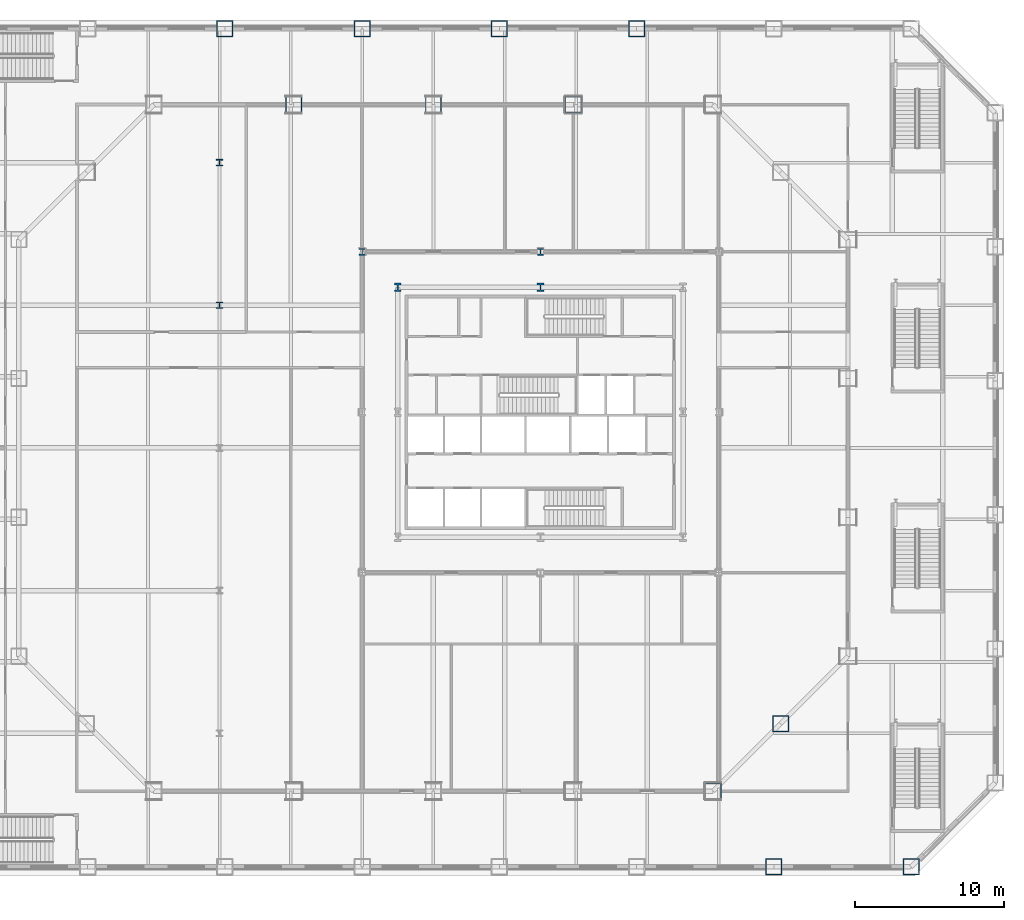
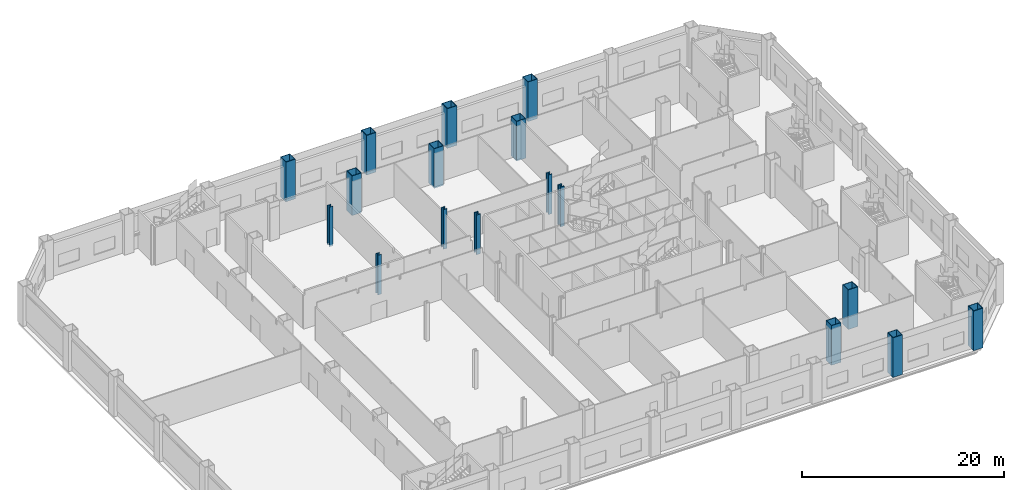
# One storey, part 4 of 26: 17 columns.
"""IFC4 building model written with IfcOpenShell, lengths in metres."""

from ifc_helpers import new_model, si_unit, direction, frame, origin, origin_2d, place, context, subcontext, project, spatial, hollow_rectangle, i_section, extrude, material, material_profile, profile_set, type_object, element, save


model = new_model("IFC4")

# Units and contexts
model_context = context("Model", 3, precision=1e-05, world=origin(), true_north=direction((0.0, 1.0)))
body_context = subcontext(model_context, "Body", "Model", "MODEL_VIEW")
ifc_project = project(units=[si_unit("LENGTHUNIT", "METRE"), si_unit("AREAUNIT", "SQUARE_METRE"), si_unit("VOLUMEUNIT", "CUBIC_METRE"), si_unit("PLANEANGLEUNIT", "RADIAN"), si_unit("MASSUNIT", "GRAM", prefix="KILO")], contexts=[model_context])

# Site, building, storey
site_placement = place(None, origin())
site = spatial("IfcSite", under=ifc_project, at=site_placement, CompositionType="ELEMENT")
building_placement = place(site_placement, origin())
building = spatial("IfcBuilding", under=site, at=building_placement, Name="Cairn Pilgrim Tower", CompositionType="ELEMENT")
storey_placement = place(building_placement, frame((0.0, 0.0, 21.0)))
storey = spatial("IfcBuildingStorey", under=building, at=storey_placement, Name="L03", CompositionType="ELEMENT", Elevation=21.0)

# Columns
ifc_material = material(Name="Structural steel S460M", Category="steel")
ifc_material_profile_1 = material_profile(ifc_material, hollow_rectangle(XDim=1.10009765625, YDim=1.10009765625, WallThickness=0.06005859375, at=origin_2d()), Name="BOX 1100x1100x60")
ifc_profile_set_1 = profile_set([ifc_material_profile_1], Name="Structural steel S460M")
column_type_1 = type_object("IfcColumnType", Name="BOX 1100x1100x60", PredefinedType="COLUMN", material=ifc_profile_set_1)
for number, where, z_axis, x_axis, name in (
    (1, (18.8271484375, -23.10009765625, -0.199951171875), (0.0, 0.0, 1.0), (1.0, 0.0, 0.0), "PC1-SE1"),
    (2, (23.363525390625, -18.563720703125, -0.199951171875), (0.0, 0.0, 1.0), (1.0, 0.0, 0.0), "PC1-SE2"),
    (3, (9.41357421875, 23.10009765625, -0.199951171875), (0.0, 0.0, 1.0), (1.0, 0.0, 0.0), "PC1-N2"),
    (4, (0.0, 23.10009765625, -0.199951171875), (0.0, 0.0, 1.0), (1.0, 0.0, 0.0), "PC1-N3"),
    (5, (-9.41357421875, 23.10009765625, -0.199951171875), (0.0, 0.0, 1.0), (1.0, 0.0, 0.0), "PC1-N4"),
):
    element("IfcColumn", number, at=place(storey_placement, frame(where, z_axis=z_axis, x_axis=x_axis)), inside=storey, type_object=column_type_1, Name=name, PredefinedType="COLUMN", context=body_context, shape_type="SweptSolid", body=[
        extrude(hollow_rectangle(XDim=1.10009765625, YDim=1.10009765625, WallThickness=0.06005859375, at=origin_2d()), origin(), (0.0, 0.0, 1.0), 4.800048828125),
    ])
ifc_material_profile_2 = material_profile(ifc_material, i_section(OverallWidth=0.4541015625, OverallDepth=0.569091796875, WebThickness=0.077880859375, FlangeThickness=0.125, FilletRadius=0.014892578125, at=origin_2d()), Name="HD 400x1086")
ifc_profile_set_2 = profile_set([ifc_material_profile_2], Name="Structural steel S460M")
column_type_2 = type_object("IfcColumnType", Name="HD 400x1086", PredefinedType="COLUMN", material=ifc_profile_set_2)
for number, where, z_axis, x_axis, name in (
    (6, (-2.39990234375, 10.800048828125, -0.199951171875), (0.0, 0.0, 1.0), (1.0, 0.0, 0.0), "KC-6"),
    (7, (7.199951171875, 10.800048828125, -0.199951171875), (0.0, 0.0, 1.0), (1.0, 0.0, 0.0), "KC-7"),
):
    element("IfcColumn", number, at=place(storey_placement, frame(where, z_axis=z_axis, x_axis=x_axis)), inside=storey, type_object=column_type_2, Name=name, PredefinedType="COLUMN", context=body_context, shape_type="SweptSolid", body=[
        extrude(i_section(OverallWidth=0.4541015625, OverallDepth=0.569091796875, WebThickness=0.077880859375, FlangeThickness=0.125, FilletRadius=0.014892578125, at=origin_2d()), origin(), (0.0, 0.0, 1.0), 4.800048828125),
    ])
ifc_material_profile_3 = material_profile(ifc_material, i_section(OverallWidth=0.408935546875, OverallDepth=0.425048828125, WebThickness=0.03271484375, FlangeThickness=0.052490234375, FilletRadius=0.014892578125, at=origin_2d()), Name="HD 400x421")
ifc_profile_set_3 = profile_set([ifc_material_profile_3], Name="Structural steel S460M")
column_type_3 = type_object("IfcColumnType", Name="HD 400x421", PredefinedType="COLUMN", material=ifc_profile_set_3)
for number, where, z_axis, x_axis, name in (
    (8, (-14.39990234375, 9.60009765625, -0.199951171875), (0.0, 0.0, 1.0), (1.0, 0.0, 0.0), "WC-WW+2"),
    (9, (-14.39990234375, 19.199951171875, -0.199951171875), (0.0, 0.0, 1.0), (1.0, 0.0, 0.0), "WC-WW+4"),
):
    element("IfcColumn", number, at=place(storey_placement, frame(where, z_axis=z_axis, x_axis=x_axis)), inside=storey, type_object=column_type_3, Name=name, PredefinedType="COLUMN", context=body_context, shape_type="SweptSolid", body=[
        extrude(i_section(OverallWidth=0.408935546875, OverallDepth=0.425048828125, WebThickness=0.03271484375, FlangeThickness=0.052490234375, FilletRadius=0.014892578125, at=origin_2d()), origin(), (0.0, 0.0, 1.0), 4.800048828125),
    ])
ifc_material_profile_4 = material_profile(ifc_material, i_section(OverallWidth=0.424072265625, OverallDepth=0.47412109375, WebThickness=0.047607421875, FlangeThickness=0.0771484375, FilletRadius=0.014892578125, at=origin_2d()), Name="HD 400x634")
ifc_profile_set_4 = profile_set([ifc_material_profile_4], Name="Structural steel S460M")
column_type_4 = type_object("IfcColumnType", Name="HD 400x634", PredefinedType="COLUMN", material=ifc_profile_set_4)
for number, where, z_axis, x_axis, name in (
    (10, (-4.800048828125, 13.199951171875, -0.199951171875), (0.0, 0.0, 1.0), (1.0, 0.0, 0.0), "IC-6"),
    (11, (7.199951171875, 13.199951171875, -0.199951171875), (0.0, 0.0, 1.0), (1.0, 0.0, 0.0), "IC-7"),
):
    element("IfcColumn", number, at=place(storey_placement, frame(where, z_axis=z_axis, x_axis=x_axis)), inside=storey, type_object=column_type_4, Name=name, PredefinedType="COLUMN", context=body_context, shape_type="SweptSolid", body=[
        extrude(i_section(OverallWidth=0.424072265625, OverallDepth=0.47412109375, WebThickness=0.047607421875, FlangeThickness=0.0771484375, FilletRadius=0.014892578125, at=origin_2d()), origin(), (0.0, 0.0, 1.0), 4.800048828125),
    ])
ifc_material_profile_5 = material_profile(ifc_material, hollow_rectangle(XDim=1.10009765625, YDim=1.10009765625, WallThickness=0.06005859375, at=origin_2d()), Name="BOX 1100x1100x60")
ifc_profile_set_5 = profile_set([ifc_material_profile_5], Name="Structural steel S460M")
column_type_5 = type_object("IfcColumnType", Name="PILOTIS CFT 1100", PredefinedType="COLUMN", material=ifc_profile_set_5)
for number, where, z_axis, x_axis, name in (
    (12, (22.91357421875, -28.199951171875, 0.0), (0.0, 0.0, 1.0), (1.0, 0.0, 0.0), "PILOTIS PL-S8"),
    (13, (32.151611328125, -28.199951171875, 0.0), (0.0, 0.0, 1.0), (1.0, 0.0, 0.0), "PILOTIS PL-SE1"),
    (14, (13.67578125, 28.199951171875, 0.0), (0.0, 0.0, 1.0), (1.0, 0.0, 0.0), "PILOTIS PL-N3"),
    (15, (4.43798828125, 28.199951171875, 0.0), (0.0, 0.0, 1.0), (1.0, 0.0, 0.0), "PILOTIS PL-N4"),
    (16, (-4.800048828125, 28.199951171875, 0.0), (0.0, 0.0, 1.0), (1.0, 0.0, 0.0), "PILOTIS PL-N5"),
    (17, (-14.037841796875, 28.199951171875, 0.0), (0.0, 0.0, 1.0), (1.0, 0.0, 0.0), "PILOTIS PL-N6"),
):
    element("IfcColumn", number, at=place(storey_placement, frame(where, z_axis=z_axis, x_axis=x_axis)), inside=storey, type_object=column_type_5, Name=name, PredefinedType="COLUMN", context=body_context, shape_type="SweptSolid", body=[
        extrude(hollow_rectangle(XDim=1.10009765625, YDim=1.10009765625, WallThickness=0.06005859375, at=origin_2d()), origin(), (0.0, 0.0, 1.0), 4.800048828125),
    ])

save(model, "model.ifc")
